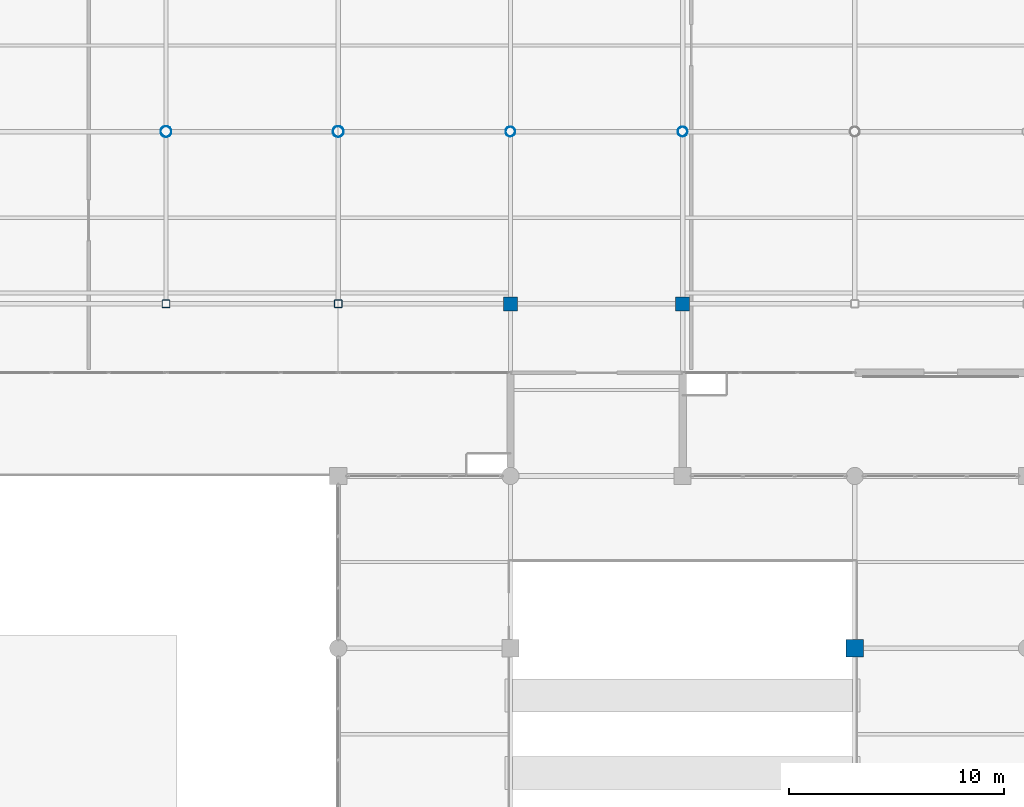
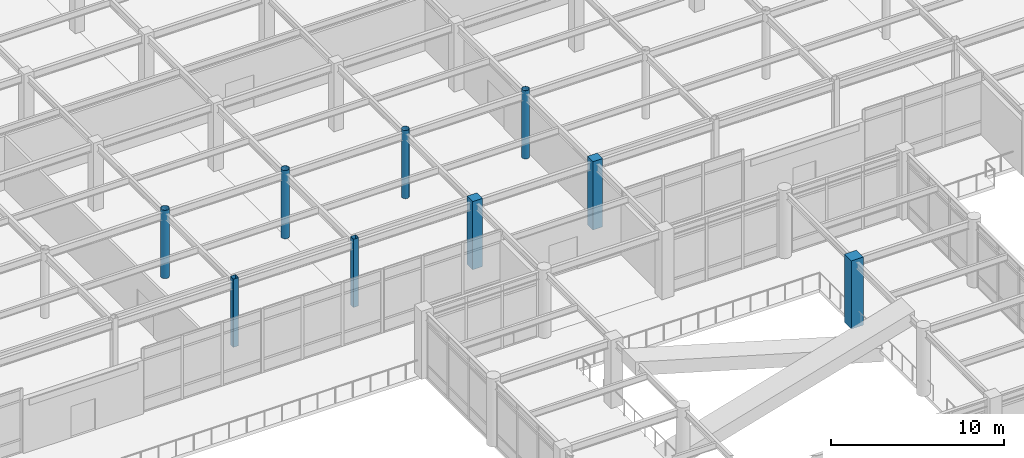
# One storey, part 12 of 117: 9 columns.
"""IFC4 building model written with IfcOpenShell, lengths in metres."""

from ifc_helpers import new_model, si_unit, direction, frame, origin, origin_2d, place, context, subcontext, project, spatial, rectangle, hollow_rectangle, hollow_circle, extrude, material, material_profile, profile_set, type_object, element, save


model = new_model("IFC4")

# Units and contexts
model_context = context("Model", 3, precision=1e-05, world=origin(), true_north=direction((0.0, 1.0)))
body_context = subcontext(model_context, "Body", "Model", "MODEL_VIEW")
ifc_project = project(units=[si_unit("LENGTHUNIT", "METRE"), si_unit("AREAUNIT", "SQUARE_METRE"), si_unit("VOLUMEUNIT", "CUBIC_METRE"), si_unit("PLANEANGLEUNIT", "RADIAN"), si_unit("MASSUNIT", "GRAM", prefix="KILO")], contexts=[model_context])

# Site, building, storey
site_placement = place(None, origin())
site = spatial("IfcSite", under=ifc_project, at=site_placement, CompositionType="ELEMENT")
building_placement = place(site_placement, origin())
building = spatial("IfcBuilding", under=site, at=building_placement, Name="Solmirada Galleria", CompositionType="ELEMENT")
storey_placement = place(building_placement, frame((0.0, 0.0, 5.60009765625)))
storey = spatial("IfcBuildingStorey", under=building, at=storey_placement, Name="L01", CompositionType="ELEMENT", Elevation=5.60009765625)

# Columns
ifc_material_1 = material(Name="Steel S355 / ASTM A500 Grade C", Category="steel")
ifc_material_profile_1 = material_profile(ifc_material_1, hollow_circle(Radius=0.228515625, WallThickness=0.01171875, at=origin_2d()), Name="HSS18.000X0.500")
ifc_profile_set_1 = profile_set([ifc_material_profile_1], Name="Steel S355 / ASTM A500 Grade C")
column_type_1 = type_object("IfcColumnType", Name="COL-CHS18", PredefinedType="COLUMN", material=ifc_profile_set_1)
for number, where, z_axis, x_axis, name in (
    (1, (88.0, 88.0, 0.0), (0.0, 0.0, 1.0), (1.0, 0.0, 0.0), "Structural column L01-0551"),
    (2, (96.0, 88.0, 0.0), (0.0, 0.0, 1.0), (1.0, 0.0, 0.0), "Structural column L01-0659"),
):
    element("IfcColumn", number, at=place(storey_placement, frame(where, z_axis=z_axis, x_axis=x_axis)), inside=storey, type_object=column_type_1, Name=name, PredefinedType="COLUMN", context=body_context, shape_type="SweptSolid", body=[
        extrude(hollow_circle(Radius=0.228515625, WallThickness=0.01171875, at=origin_2d()), origin(), (0.0, 0.0, 1.0), 4.7998046875),
    ])
ifc_material_profile_2 = material_profile(ifc_material_1, hollow_circle(Radius=0.25390625, WallThickness=0.01171875, at=origin_2d()), Name="HSS20.000X0.500")
ifc_profile_set_2 = profile_set([ifc_material_profile_2], Name="Steel S355 / ASTM A500 Grade C")
column_type_2 = type_object("IfcColumnType", Name="COL-CHS20", PredefinedType="COLUMN", material=ifc_profile_set_2)
for number, where, z_axis, x_axis, name in (
    (3, (72.0, 88.0, 0.0), (0.0, 0.0, 1.0), (1.0, 0.0, 0.0), "Structural column L01-0312"),
    (4, (80.0, 88.0, 0.0), (0.0, 0.0, 1.0), (1.0, 0.0, 0.0), "Structural column L01-0429"),
):
    element("IfcColumn", number, at=place(storey_placement, frame(where, z_axis=z_axis, x_axis=x_axis)), inside=storey, type_object=column_type_2, Name=name, PredefinedType="COLUMN", context=body_context, shape_type="SweptSolid", body=[
        extrude(hollow_circle(Radius=0.25390625, WallThickness=0.01171875, at=origin_2d()), origin(), (0.0, 0.0, 1.0), 4.7998046875),
    ])
ifc_material_profile_3 = material_profile(ifc_material_1, hollow_rectangle(XDim=0.35595703125, YDim=0.35595703125, WallThickness=0.01171875, InnerFilletRadius=0.01171875, OuterFilletRadius=0.023681640625, at=origin_2d()), Name="HSS14X14X1/2")
ifc_profile_set_3 = profile_set([ifc_material_profile_3], Name="Steel S355 / ASTM A500 Grade C")
column_type_3 = type_object("IfcColumnType", Name="COL-HSS14", PredefinedType="COLUMN", material=ifc_profile_set_3)
for number, where, z_axis, x_axis, name in (
    (5, (72.0, 80.0, 0.0), (0.0, 0.0, 1.0), (1.0, 0.0, 0.0), "Structural column L01-0308"),
    (6, (80.0, 80.0, 0.0), (0.0, 0.0, 1.0), (1.0, 0.0, 0.0), "Structural column L01-0425"),
):
    element("IfcColumn", number, at=place(storey_placement, frame(where, z_axis=z_axis, x_axis=x_axis)), inside=storey, type_object=column_type_3, Name=name, PredefinedType="COLUMN", context=body_context, shape_type="SweptSolid", body=[
        extrude(hollow_rectangle(XDim=0.35595703125, YDim=0.35595703125, WallThickness=0.01171875, InnerFilletRadius=0.01171875, OuterFilletRadius=0.023681640625, at=origin_2d()), origin(), (0.0, 0.0, 1.0), 4.7998046875),
    ])
ifc_material_2 = material(Name="Concrete C40/50", Category="concrete")
ifc_material_profile_4 = material_profile(ifc_material_2, rectangle(XDim=0.64990234375, YDim=0.64990234375, at=origin_2d()), Name="RC650X650")
ifc_profile_set_4 = profile_set([ifc_material_profile_4], Name="Concrete C40/50")
column_type_4 = type_object("IfcColumnType", Name="COL-RC650", PredefinedType="COLUMN", material=ifc_profile_set_4)
for number, where, z_axis, x_axis, name in (
    (7, (88.0, 80.0, 0.0), (0.0, 0.0, 1.0), (1.0, 0.0, 0.0), "Structural column L01-0544"),
    (8, (96.0, 80.0, 0.0), (0.0, 0.0, 1.0), (1.0, 0.0, 0.0), "Structural column L01-0652"),
):
    element("IfcColumn", number, at=place(storey_placement, frame(where, z_axis=z_axis, x_axis=x_axis)), inside=storey, type_object=column_type_4, Name=name, PredefinedType="COLUMN", context=body_context, shape_type="SweptSolid", body=[
        extrude(rectangle(XDim=0.64990234375, YDim=0.64990234375, at=origin_2d()), origin(), (0.0, 0.0, 1.0), 4.7998046875),
    ])
ifc_material_profile_5 = material_profile(ifc_material_2, rectangle(XDim=0.800048828125, YDim=0.800048828125, at=origin_2d()), Name="RC800X800")
ifc_profile_set_5 = profile_set([ifc_material_profile_5], Name="Concrete C40/50")
column_type_5 = type_object("IfcColumnType", Name="COL-RC800", PredefinedType="COLUMN", material=ifc_profile_set_5)
column_placement = place(storey_placement, frame((104.0, 64.0, 0.0), z_axis=(0.0, 0.0, 1.0), x_axis=(1.0, 0.0, 0.0)))
element("IfcColumn", 9, at=column_placement, inside=storey, type_object=column_type_5, Name="Structural column L01-0751", PredefinedType="COLUMN", context=body_context, shape_type="SweptSolid", body=[
    extrude(rectangle(XDim=0.800048828125, YDim=0.800048828125, at=origin_2d()), origin(), (0.0, 0.0, 1.0), 4.7998046875),
])

save(model, "model.ifc")
